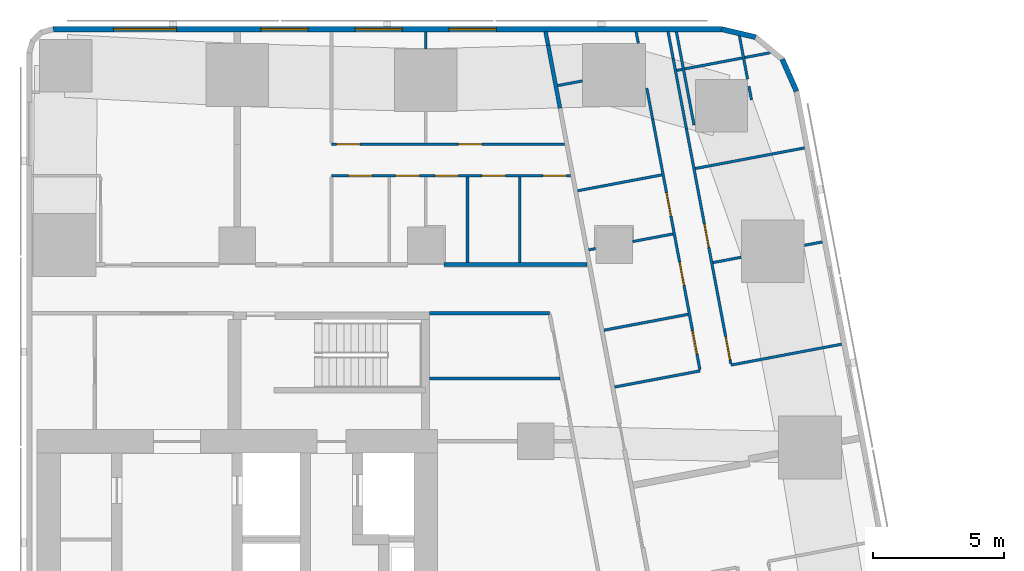
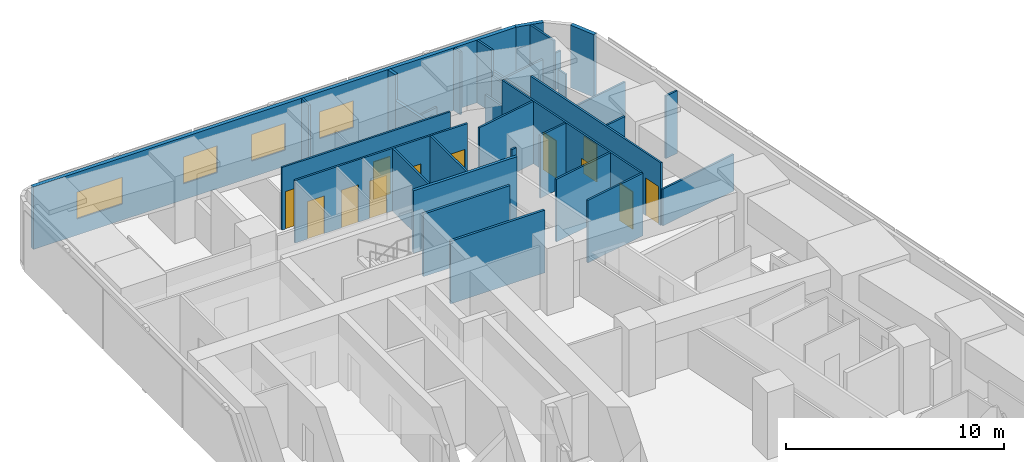
# One storey, part 7 of 10: 33 walls, 12 doors, 4 windows, 16 openings.
"""IFC4 building model written with IfcOpenShell, lengths in metres."""

from ifc_helpers import new_model, si_unit, direction, frame, frame_2d, origin, place, context, subcontext, project, spatial, rectangle, extrude, material, layer, layer_set, type_object, element, fill, save


model = new_model("IFC4")

# Units and contexts
model_context = context("Model", 3, precision=1e-05, world=origin(), true_north=direction((0.0, 1.0)))
body_context = subcontext(model_context, "Body", "Model", "MODEL_VIEW")
ifc_project = project(units=[si_unit("LENGTHUNIT", "METRE"), si_unit("AREAUNIT", "SQUARE_METRE"), si_unit("VOLUMEUNIT", "CUBIC_METRE"), si_unit("PLANEANGLEUNIT", "RADIAN"), si_unit("MASSUNIT", "GRAM", prefix="KILO")], contexts=[model_context])

# Site, building, storey
site_placement = place(None, origin())
site = spatial("IfcSite", under=ifc_project, at=site_placement, CompositionType="ELEMENT")
building_placement = place(site_placement, origin())
building = spatial("IfcBuilding", under=site, at=building_placement, Name="Sheger Commons Tower", CompositionType="ELEMENT")
storey_placement = place(building_placement, frame((0.0, 0.0, 234.949951171875)))
storey = spatial("IfcBuildingStorey", under=building, at=storey_placement, Name="L60", CompositionType="ELEMENT", Elevation=234.949951171875)

# Walls
ifc_material_1 = material(Name="Hollow concrete block masonry, skimmed both sides", Category="masonry")
ifc_layer_1 = layer(ifc_material_1, 0.14990234375)
ifc_layer_set_1 = layer_set([ifc_layer_1], Name="CORRIDOR WALL 150")
wall_type_1 = type_object("IfcWallType", Name="CORRIDOR WALL 150", PredefinedType="SOLIDWALL", material=ifc_layer_set_1)
wall_1_placement = place(storey_placement, frame((29.5009765625, 36.75, 0.0), z_axis=(0.0, 0.0, 1.0), x_axis=(1.0, 0.0, 0.0)))
element("IfcWall", 1, at=wall_1_placement, inside=storey, type_object=wall_type_1, Name="Corridor wall L60", PredefinedType="SOLIDWALL", context=body_context, shape_type="SweptSolid", body=[
    extrude(rectangle(XDim=5.470947265625, YDim=0.14990234375, at=frame_2d((2.7353515625, 0.0))), origin(), (0.0, 0.0, 1.0), 3.5),
])
wall_2_placement = place(storey_placement, frame((33.382080078125, 45.64990234375, 0.0), z_axis=(0.0, 0.0, 1.0), x_axis=(0.185657456326, -0.982614527122, 0.0)))
element("IfcWall", 2, at=wall_2_placement, inside=storey, type_object=wall_type_1, Name="Corridor wall L60", PredefinedType="SOLIDWALL", context=body_context, shape_type="SweptSolid", body=[
    extrude(rectangle(XDim=0.516845703125, YDim=0.14990234375, at=frame_2d((0.25830078125, 0.0))), origin(), (0.0, 0.0, 1.0), 3.5),
])
wall_3_placement = place(storey_placement, frame((33.47802734375, 45.14208984375, 0.0), z_axis=(0.0, 0.0, 1.0), x_axis=(0.185393362436, -0.982664388876, 0.0)))
element("IfcWall", 3, at=wall_3_placement, inside=storey, type_object=wall_type_1, Name="Corridor wall L60", PredefinedType="SOLIDWALL", context=body_context, shape_type="SweptSolid", body=[
    extrude(rectangle(XDim=2.45458984375, YDim=0.14990234375, at=frame_2d((1.227294921875, 0.0))), origin(), (0.0, 0.0, 1.0), 2.050048828125),
])
ifc_material_2 = material(Name="Rendered concrete block masonry, dark grey", Category="masonry")
ifc_layer_2 = layer(ifc_material_2, 0.199951171875)
ifc_layer_set_2 = layer_set([ifc_layer_2], Name="FACADE WALL 200")
wall_type_2 = type_object("IfcWallType", Name="FACADE WALL 200", PredefinedType="SOLIDWALL", material=ifc_layer_set_2)
wall_4_placement = place(storey_placement, frame((42.969970703125, 43.376953125, 0.0), z_axis=(0.0, 0.0, 1.0), x_axis=(-0.406002956633, 0.913871762998, 0.0)))
element("IfcWall", 4, at=wall_4_placement, inside=storey, type_object=wall_type_2, Name="Facade wall L60", PredefinedType="SOLIDWALL", context=body_context, shape_type="SweptSolid", body=[
    extrude(rectangle(XDim=1.33740234375, YDim=0.199951171875, at=frame_2d((0.668701171875, 0.0))), origin(), (0.0, 0.0, 1.0), 3.5),
])
wall_5_placement = place(storey_placement, frame((41.406982421875, 45.444091796875, 0.0), z_axis=(0.0, 0.0, 1.0), x_axis=(-0.973453091607, 0.228886606077, 0.0)))
element("IfcWall", 5, at=wall_5_placement, inside=storey, type_object=wall_type_2, Name="Facade wall L60", PredefinedType="SOLIDWALL", context=body_context, shape_type="SweptSolid", body=[
    extrude(rectangle(XDim=1.33642578125, YDim=0.199951171875, at=frame_2d((0.668212890625, 0.0))), origin(), (0.0, 0.0, 1.0), 3.5),
])

# Wall, openings, windows
wall_6_placement = place(storey_placement, frame((40.10595703125, 45.75, 0.0), z_axis=(0.0, 0.0, 1.0), x_axis=(-1.0, 0.0, 0.0)))
wall_6 = element("IfcWall", 6, at=wall_6_placement, inside=storey, type_object=wall_type_2, Name="Facade wall L60", PredefinedType="SOLIDWALL", context=body_context, shape_type="SweptSolid", body=[
    extrude(rectangle(XDim=25.54296875, YDim=0.199951171875, at=frame_2d((12.771484375, 0.0))), origin(), (0.0, 0.0, 1.0), 3.5),
])
opening_1_placement = place(wall_6_placement, frame((8.60595703125, 0.0, 0.89990234375)))
opening_1 = element("IfcOpeningElement", 7, at=opening_1_placement, cuts=wall_6, Name="Opening W2", PredefinedType="OPENING", context=body_context, shape_type="SweptSolid", body=[
    extrude(rectangle(XDim=1.800048828125, YDim=1.5, at=frame_2d((0.89990234375, 0.75))), frame((0.0, 0.10986328125, 0.0), z_axis=(0.0, -1.0, 0.0), x_axis=(1.0, 0.0, 0.0)), (0.0, 0.0, 1.0), 0.219970703125),
])
opening_2_placement = place(wall_6_placement, frame((12.2060546875, 0.0, 0.89990234375)))
opening_2 = element("IfcOpeningElement", 8, at=opening_2_placement, cuts=wall_6, Name="Opening W2", PredefinedType="OPENING", context=body_context, shape_type="SweptSolid", body=[
    extrude(rectangle(XDim=1.800048828125, YDim=1.5, at=frame_2d((0.89990234375, 0.75))), frame((0.0, 0.10986328125, 0.0), z_axis=(0.0, -1.0, 0.0), x_axis=(1.0, 0.0, 0.0)), (0.0, 0.0, 1.0), 0.219970703125),
])
opening_3_placement = place(wall_6_placement, frame((15.805908203125, 0.0, 0.89990234375)))
opening_3 = element("IfcOpeningElement", 9, at=opening_3_placement, cuts=wall_6, Name="Opening W2", PredefinedType="OPENING", context=body_context, shape_type="SweptSolid", body=[
    extrude(rectangle(XDim=1.800048828125, YDim=1.5, at=frame_2d((0.89990234375, 0.75))), frame((0.0, 0.10986328125, 0.0), z_axis=(0.0, -1.0, 0.0), x_axis=(1.0, 0.0, 0.0)), (0.0, 0.0, 1.0), 0.219970703125),
])
opening_4_placement = place(wall_6_placement, frame((20.824951171875, 0.0, 0.89990234375)))
opening_4 = element("IfcOpeningElement", 10, at=opening_4_placement, cuts=wall_6, Name="Opening W1", PredefinedType="OPENING", context=body_context, shape_type="SweptSolid", body=[
    extrude(rectangle(XDim=2.39990234375, YDim=1.5, at=frame_2d((1.199951171875, 0.75))), frame((0.0, 0.10986328125, 0.0), z_axis=(0.0, -1.0, 0.0), x_axis=(1.0, 0.0, 0.0)), (0.0, 0.0, 1.0), 0.219970703125),
])
ifc_material_3 = material(Name="Black aluminium frame, dark tinted double glazing", Category="aluminium")
window_type_1 = type_object("IfcWindowType", Name="WINDOW W1 2400x1500", PartitioningType="SINGLE_PANEL", PredefinedType="WINDOW", material=ifc_material_3)
window_1_placement = place(opening_4_placement, origin())
window_1 = element("IfcWindow", 11, at=window_1_placement, inside=storey, type_object=window_type_1, Name="Window W1 2400X1500", OverallHeight=1.5, OverallWidth=2.39990234375, PartitioningType="SINGLE_PANEL", PredefinedType="WINDOW", context=body_context, shape_type="SweptSolid", body=[
    extrude(rectangle(XDim=2.39990234375, YDim=1.5, at=frame_2d((1.199951171875, 0.75))), frame((0.0, 0.030029296875, 0.0), z_axis=(0.0, -1.0, 0.0), x_axis=(1.0, 0.0, 0.0)), (0.0, 0.0, 1.0), 0.06005859375),
])
fill(opening_4, window_1)
ifc_material_4 = material(Name="Black aluminium frame, dark tinted double glazing", Category="aluminium")
window_type_2 = type_object("IfcWindowType", Name="WINDOW W2 1800x1500", PartitioningType="SINGLE_PANEL", PredefinedType="WINDOW", material=ifc_material_4)
window_2_placement = place(opening_1_placement, origin())
window_2 = element("IfcWindow", 12, at=window_2_placement, inside=storey, type_object=window_type_2, Name="Window W2 1800X1500", OverallHeight=1.5, OverallWidth=1.800048828125, PartitioningType="SINGLE_PANEL", PredefinedType="WINDOW", context=body_context, shape_type="SweptSolid", body=[
    extrude(rectangle(XDim=1.800048828125, YDim=1.5, at=frame_2d((0.89990234375, 0.75))), frame((0.0, 0.030029296875, 0.0), z_axis=(0.0, -1.0, 0.0), x_axis=(1.0, 0.0, 0.0)), (0.0, 0.0, 1.0), 0.06005859375),
])
fill(opening_1, window_2)
window_3_placement = place(opening_2_placement, origin())
window_3 = element("IfcWindow", 13, at=window_3_placement, inside=storey, type_object=window_type_2, Name="Window W2 1800X1500", OverallHeight=1.5, OverallWidth=1.800048828125, PartitioningType="SINGLE_PANEL", PredefinedType="WINDOW", context=body_context, shape_type="SweptSolid", body=[
    extrude(rectangle(XDim=1.800048828125, YDim=1.5, at=frame_2d((0.89990234375, 0.75))), frame((0.0, 0.030029296875, 0.0), z_axis=(0.0, -1.0, 0.0), x_axis=(1.0, 0.0, 0.0)), (0.0, 0.0, 1.0), 0.06005859375),
])
fill(opening_2, window_3)
window_4_placement = place(opening_3_placement, origin())
window_4 = element("IfcWindow", 14, at=window_4_placement, inside=storey, type_object=window_type_2, Name="Window W2 1800X1500", OverallHeight=1.5, OverallWidth=1.800048828125, PartitioningType="SINGLE_PANEL", PredefinedType="WINDOW", context=body_context, shape_type="SweptSolid", body=[
    extrude(rectangle(XDim=1.800048828125, YDim=1.5, at=frame_2d((0.89990234375, 0.75))), frame((0.0, 0.030029296875, 0.0), z_axis=(0.0, -1.0, 0.0), x_axis=(1.0, 0.0, 0.0)), (0.0, 0.0, 1.0), 0.06005859375),
])
fill(opening_3, window_4)

# Walls
ifc_material_5 = material(Name="Gypsum board on steel studs", Category="steel")
ifc_layer_3 = layer(ifc_material_5, 0.10009765625)
ifc_layer_set_3 = layer_set([ifc_layer_3], Name="PARTITION 100")
wall_type_3 = type_object("IfcWallType", Name="PARTITION 100", PredefinedType="PARTITIONING", material=ifc_layer_set_3)
wall_7_placement = place(storey_placement, frame((39.053955078125, 42.0849609375, 0.0), z_axis=(0.0, 0.0, 1.0), x_axis=(-0.185791584218, 0.982589175207, 0.0)))
element("IfcWall", 15, at=wall_7_placement, inside=storey, type_object=wall_type_3, Name="Partition L60", PredefinedType="PARTITIONING", context=body_context, shape_type="SweptSolid", body=[
    extrude(rectangle(XDim=3.628173828125, YDim=0.10009765625, at=frame_2d((1.81396484375, 0.0))), origin(), (0.0, 0.0, 1.0), 2.050048828125),
])
wall_8_placement = place(storey_placement, frame((40.7890625, 45.487060546875, 0.0), z_axis=(0.0, 0.0, 1.0), x_axis=(0.185572395193, -0.982630594955, 0.0)))
element("IfcWall", 16, at=wall_8_placement, inside=storey, type_object=wall_type_3, Name="Partition L60", PredefinedType="PARTITIONING", context=body_context, shape_type="SweptSolid", body=[
    extrude(rectangle(XDim=1.676025390625, YDim=0.10009765625, at=frame_2d((0.837890625, 0.0))), origin(), (0.0, 0.0, 1.0), 3.5),
])
wall_9_placement = place(storey_placement, frame((41.15087890625, 43.569091796875, 0.0), z_axis=(0.0, 0.0, 1.0), x_axis=(0.186563073924, -0.982442985342, 0.0)))
element("IfcWall", 17, at=wall_9_placement, inside=storey, type_object=wall_type_3, Name="Partition L60", PredefinedType="PARTITIONING", context=body_context, shape_type="SweptSolid", body=[
    extrude(rectangle(XDim=0.53125, YDim=0.10009765625, at=frame_2d((0.265625, 0.0))), origin(), (0.0, 0.0, 1.0), 2.050048828125),
])
wall_10_placement = place(storey_placement, frame((38.06298828125, 45.64990234375, 0.0), z_axis=(0.0, 0.0, 1.0), x_axis=(0.185677287841, -0.982610779902, 0.0)))
element("IfcWall", 18, at=wall_10_placement, inside=storey, type_object=wall_type_3, Name="Partition L60", PredefinedType="PARTITIONING", context=body_context, shape_type="SweptSolid", body=[
    extrude(rectangle(XDim=1.0400390625, YDim=0.10009765625, at=frame_2d((0.52001953125, 0.0))), origin(), (0.0, 0.0, 1.0), 3.5),
])
wall_11_placement = place(storey_placement, frame((38.256103515625, 44.6279296875, 0.0), z_axis=(0.0, 0.0, 1.0), x_axis=(0.185700639943, -0.982606366927, 0.0)))
element("IfcWall", 19, at=wall_11_placement, inside=storey, type_object=wall_type_3, Name="Partition L60", PredefinedType="PARTITIONING", context=body_context, shape_type="SweptSolid", body=[
    extrude(rectangle(XDim=2.734619140625, YDim=0.10009765625, at=frame_2d((1.3671875, 0.0))), origin(), (0.0, 0.0, 1.0), 2.050048828125),
])

# Wall, openings, doors
wall_12_placement = place(storey_placement, frame((38.763916015625, 41.94091796875, 0.0), z_axis=(0.0, 0.0, 1.0), x_axis=(0.185548572312, -0.982635093671, 0.0)))
wall_12 = element("IfcWall", 20, at=wall_12_placement, inside=storey, type_object=wall_type_3, Name="Partition L60", PredefinedType="PARTITIONING", context=body_context, shape_type="SweptSolid", body=[
    extrude(rectangle(XDim=9.135498046875, YDim=0.10009765625, at=frame_2d((4.56787109375, 0.0))), origin(), (0.0, 0.0, 1.0), 3.5),
])
opening_5_placement = place(wall_12_placement, frame((8.0849609375, 0.0, 0.0)))
opening_5 = element("IfcOpeningElement", 21, at=opening_5_placement, cuts=wall_12, Name="Opening D2", PredefinedType="OPENING", context=body_context, shape_type="SweptSolid", body=[
    extrude(rectangle(XDim=0.89990234375, YDim=2.10009765625, at=frame_2d((0.449951171875, 1.050048828125))), frame((0.0, 0.06005859375, 0.0), z_axis=(0.0, -1.0, 0.0), x_axis=(1.0, 0.0, 0.0)), (0.0, 0.0, 1.0), 0.1201171875),
])
opening_6_placement = place(wall_12_placement, frame((3.699951171875, 0.0, 0.0)))
opening_6 = element("IfcOpeningElement", 22, at=opening_6_placement, cuts=wall_12, Name="Opening D2", PredefinedType="OPENING", context=body_context, shape_type="SweptSolid", body=[
    extrude(rectangle(XDim=0.89990234375, YDim=2.10009765625, at=frame_2d((0.449951171875, 1.050048828125))), frame((0.0, 0.06005859375, 0.0), z_axis=(0.0, -1.0, 0.0), x_axis=(1.0, 0.0, 0.0)), (0.0, 0.0, 1.0), 0.1201171875),
])
ifc_material_6 = material(Name="Timber door set", Category="wood")
door_type = type_object("IfcDoorType", Name="INTERNAL DOOR 900x2100", OperationType="NOTDEFINED", PredefinedType="DOOR", material=ifc_material_6)
door_1_placement = place(opening_5_placement, origin())
door_1 = element("IfcDoor", 23, at=door_1_placement, inside=storey, type_object=door_type, Name="Main bedroom door", OperationType="SINGLE_SWING_RIGHT", OverallHeight=2.10009765625, OverallWidth=0.89990234375, PredefinedType="DOOR", context=body_context, shape_type="SweptSolid", body=[
    extrude(rectangle(XDim=0.89990234375, YDim=2.10009765625, at=frame_2d((0.449951171875, 1.050048828125))), frame((0.0, 0.02490234375, 0.0), z_axis=(0.0, -1.0, 0.0), x_axis=(1.0, 0.0, 0.0)), (0.0, 0.0, 1.0), 0.050048828125),
])
fill(opening_5, door_1)
door_2_placement = place(opening_6_placement, origin())
door_2 = element("IfcDoor", 24, at=door_2_placement, inside=storey, type_object=door_type, Name="Bedroom 2 door", OperationType="SINGLE_SWING_RIGHT", OverallHeight=2.10009765625, OverallWidth=0.89990234375, PredefinedType="DOOR", context=body_context, shape_type="SweptSolid", body=[
    extrude(rectangle(XDim=0.89990234375, YDim=2.10009765625, at=frame_2d((0.449951171875, 1.050048828125))), frame((0.0, 0.02490234375, 0.0), z_axis=(0.0, -1.0, 0.0), x_axis=(1.0, 0.0, 0.0)), (0.0, 0.0, 1.0), 0.050048828125),
])
fill(opening_6, door_2)

# Walls
wall_13_placement = place(storey_placement, frame((36.842041015625, 45.64990234375, 0.0), z_axis=(0.0, 0.0, 1.0), x_axis=(0.185407859198, -0.982661653748, 0.0)))
element("IfcWall", 25, at=wall_13_placement, inside=storey, type_object=wall_type_3, Name="Partition L60", PredefinedType="PARTITIONING", context=body_context, shape_type="SweptSolid", body=[
    extrude(rectangle(XDim=0.44775390625, YDim=0.10009765625, at=frame_2d((0.223876953125, 0.0))), origin(), (0.0, 0.0, 1.0), 3.5),
])
wall_14_placement = place(storey_placement, frame((37.2490234375, 43.492919921875, 0.0), z_axis=(0.0, 0.0, 1.0), x_axis=(0.185817643817, -0.982584247404, 0.0)))
element("IfcWall", 26, at=wall_14_placement, inside=storey, type_object=wall_type_3, Name="Partition L60", PredefinedType="PARTITIONING", context=body_context, shape_type="SweptSolid", body=[
    extrude(rectangle(XDim=1.204833984375, YDim=0.10009765625, at=frame_2d((0.6025390625, 0.0))), origin(), (0.0, 0.0, 1.0), 2.050048828125),
])

# Wall, openings, doors
wall_15_placement = place(storey_placement, frame((37.472900390625, 42.30908203125, 0.0), z_axis=(0.0, 0.0, 1.0), x_axis=(0.185491912953, -0.982645790827, 0.0)))
wall_15 = element("IfcWall", 27, at=wall_15_placement, inside=storey, type_object=wall_type_3, Name="Partition L60", PredefinedType="PARTITIONING", context=body_context, shape_type="SweptSolid", body=[
    extrude(rectangle(XDim=9.737060546875, YDim=0.10009765625, at=frame_2d((4.86865234375, 0.0))), origin(), (0.0, 0.0, 1.0), 3.5),
])
opening_7_placement = place(wall_15_placement, frame((8.23193359375, 0.0, 0.0)))
opening_7 = element("IfcOpeningElement", 28, at=opening_7_placement, cuts=wall_15, Name="Opening D2", PredefinedType="OPENING", context=body_context, shape_type="SweptSolid", body=[
    extrude(rectangle(XDim=0.89990234375, YDim=2.10009765625, at=frame_2d((0.449951171875, 1.050048828125))), frame((0.0, 0.06005859375, 0.0), z_axis=(0.0, -1.0, 0.0), x_axis=(1.0, 0.0, 0.0)), (0.0, 0.0, 1.0), 0.1201171875),
])
opening_8_placement = place(wall_15_placement, frame((2.85302734375, 0.0, 0.0)))
opening_8 = element("IfcOpeningElement", 29, at=opening_8_placement, cuts=wall_15, Name="Opening D2", PredefinedType="OPENING", context=body_context, shape_type="SweptSolid", body=[
    extrude(rectangle(XDim=0.89990234375, YDim=2.10009765625, at=frame_2d((0.449951171875, 1.050048828125))), frame((0.0, 0.06005859375, 0.0), z_axis=(0.0, -1.0, 0.0), x_axis=(1.0, 0.0, 0.0)), (0.0, 0.0, 1.0), 0.1201171875),
])
opening_9_placement = place(wall_15_placement, frame((5.56396484375, 0.0, 0.0)))
opening_9 = element("IfcOpeningElement", 30, at=opening_9_placement, cuts=wall_15, Name="Opening D2", PredefinedType="OPENING", context=body_context, shape_type="SweptSolid", body=[
    extrude(rectangle(XDim=0.89990234375, YDim=2.10009765625, at=frame_2d((0.449951171875, 1.050048828125))), frame((0.0, 0.06005859375, 0.0), z_axis=(0.0, -1.0, 0.0), x_axis=(1.0, 0.0, 0.0)), (0.0, 0.0, 1.0), 0.1201171875),
])
door_3_placement = place(opening_7_placement, origin())
door_3 = element("IfcDoor", 31, at=door_3_placement, inside=storey, type_object=door_type, Name="Bathroom door", OperationType="SINGLE_SWING_LEFT", OverallHeight=2.10009765625, OverallWidth=0.89990234375, PredefinedType="DOOR", context=body_context, shape_type="SweptSolid", body=[
    extrude(rectangle(XDim=0.89990234375, YDim=2.10009765625, at=frame_2d((0.449951171875, 1.050048828125))), frame((0.0, 0.02490234375, 0.0), z_axis=(0.0, -1.0, 0.0), x_axis=(1.0, 0.0, 0.0)), (0.0, 0.0, 1.0), 0.050048828125),
])
fill(opening_7, door_3)
door_4_placement = place(opening_8_placement, origin())
door_4 = element("IfcDoor", 32, at=door_4_placement, inside=storey, type_object=door_type, Name="Laundry room door", OperationType="SINGLE_SWING_RIGHT", OverallHeight=2.10009765625, OverallWidth=0.89990234375, PredefinedType="DOOR", context=body_context, shape_type="SweptSolid", body=[
    extrude(rectangle(XDim=0.89990234375, YDim=2.10009765625, at=frame_2d((0.449951171875, 1.050048828125))), frame((0.0, 0.02490234375, 0.0), z_axis=(0.0, -1.0, 0.0), x_axis=(1.0, 0.0, 0.0)), (0.0, 0.0, 1.0), 0.050048828125),
])
fill(opening_8, door_4)
door_5_placement = place(opening_9_placement, origin())
door_5 = element("IfcDoor", 33, at=door_5_placement, inside=storey, type_object=door_type, Name="Store door", OperationType="SINGLE_SWING_RIGHT", OverallHeight=2.10009765625, OverallWidth=0.89990234375, PredefinedType="DOOR", context=body_context, shape_type="SweptSolid", body=[
    extrude(rectangle(XDim=0.89990234375, YDim=2.10009765625, at=frame_2d((0.449951171875, 1.050048828125))), frame((0.0, 0.02490234375, 0.0), z_axis=(0.0, -1.0, 0.0), x_axis=(1.0, 0.0, 0.0)), (0.0, 0.0, 1.0), 0.050048828125),
])
fill(opening_9, door_5)

# Walls
wall_16_placement = place(storey_placement, frame((41.968017578125, 44.85009765625, 0.0), z_axis=(0.0, 0.0, 1.0), x_axis=(-0.98258614234, -0.185807623311, 0.0)))
element("IfcWall", 34, at=wall_16_placement, inside=storey, type_object=wall_type_3, Name="Partition L60", PredefinedType="PARTITIONING", context=body_context, shape_type="SweptSolid", body=[
    extrude(rectangle(XDim=3.638427734375, YDim=0.10009765625, at=frame_2d((1.8193359375, 0.0))), origin(), (0.0, 0.0, 1.0), 2.050048828125),
])
wall_17_placement = place(storey_placement, frame((43.277099609375, 41.2119140625, 0.0), z_axis=(0.0, 0.0, 1.0), x_axis=(-0.982665405803, -0.185387972203, 0.0)))
element("IfcWall", 35, at=wall_17_placement, inside=storey, type_object=wall_type_3, Name="Partition L60", PredefinedType="PARTITIONING", context=body_context, shape_type="SweptSolid", body=[
    extrude(rectangle(XDim=4.249755859375, YDim=0.10009765625, at=frame_2d((2.125, 0.0))), origin(), (0.0, 0.0, 1.0), 2.050048828125),
])
wall_18_placement = place(storey_placement, frame((43.955078125, 37.6201171875, 0.0), z_axis=(0.0, 0.0, 1.0), x_axis=(-0.982495415327, -0.186286765128, 0.0)))
element("IfcWall", 36, at=wall_18_placement, inside=storey, type_object=wall_type_3, Name="Partition L60", PredefinedType="PARTITIONING", context=body_context, shape_type="SweptSolid", body=[
    extrude(rectangle(XDim=0.693359375, YDim=0.10009765625, at=frame_2d((0.3466796875, 0.0))), origin(), (0.0, 0.0, 1.0), 3.5),
])
wall_19_placement = place(storey_placement, frame((40.85400390625, 37.033935546875, 0.0), z_axis=(0.0, 0.0, 1.0), x_axis=(-0.982651678759, -0.185460718839, 0.0)))
element("IfcWall", 37, at=wall_19_placement, inside=storey, type_object=wall_type_3, Name="Partition L60", PredefinedType="PARTITIONING", context=body_context, shape_type="SweptSolid", body=[
    extrude(rectangle(XDim=1.093994140625, YDim=0.10009765625, at=frame_2d((0.546875, 0.0))), origin(), (0.0, 0.0, 1.0), 3.5),
])
wall_20_placement = place(storey_placement, frame((44.693115234375, 33.712890625, 0.0), z_axis=(0.0, 0.0, 1.0), x_axis=(-0.982633535512, -0.185556823879, 0.0)))
element("IfcWall", 38, at=wall_20_placement, inside=storey, type_object=wall_type_3, Name="Partition L60", PredefinedType="PARTITIONING", context=body_context, shape_type="SweptSolid", body=[
    extrude(rectangle(XDim=4.2998046875, YDim=0.10009765625, at=frame_2d((2.14990234375, 0.0))), origin(), (0.0, 0.0, 1.0), 2.050048828125),
])
wall_21_placement = place(storey_placement, frame((34.7900390625, 43.77197265625, 0.0), z_axis=(0.0, 0.0, 1.0), x_axis=(-0.982655532093, -0.185440301034, 0.0)))
element("IfcWall", 39, at=wall_21_placement, inside=storey, type_object=wall_type_3, Name="Partition L60", PredefinedType="PARTITIONING", context=body_context, shape_type="SweptSolid", body=[
    extrude(rectangle(XDim=0.959716796875, YDim=0.10009765625, at=frame_2d((0.47998046875, 0.0))), origin(), (0.0, 0.0, 1.0), 2.050048828125),
])
wall_22_placement = place(storey_placement, frame((37.822998046875, 40.181884765625, 0.0), z_axis=(0.0, 0.0, 1.0), x_axis=(-0.982664729897, -0.18539155487, 0.0)))
element("IfcWall", 40, at=wall_22_placement, inside=storey, type_object=wall_type_3, Name="Partition L60", PredefinedType="PARTITIONING", context=body_context, shape_type="SweptSolid", body=[
    extrude(rectangle(XDim=3.273681640625, YDim=0.10009765625, at=frame_2d((1.63671875, 0.0))), origin(), (0.0, 0.0, 1.0), 3.5),
])
wall_23_placement = place(storey_placement, frame((38.25, 37.925048828125, 0.0), z_axis=(0.0, 0.0, 1.0), x_axis=(-0.982610209589, -0.185680305934, 0.0)))
element("IfcWall", 41, at=wall_23_placement, inside=storey, type_object=wall_type_3, Name="Partition L60", PredefinedType="PARTITIONING", context=body_context, shape_type="SweptSolid", body=[
    extrude(rectangle(XDim=1.5673828125, YDim=0.10009765625, at=frame_2d((0.78369140625, 0.0))), origin(), (0.0, 0.0, 1.0), 3.5),
])
wall_24_placement = place(storey_placement, frame((35.2900390625, 37.365966796875, 0.0), z_axis=(0.0, 0.0, 1.0), x_axis=(-0.982395465615, -0.18681313963, 0.0)))
element("IfcWall", 42, at=wall_24_placement, inside=storey, type_object=wall_type_3, Name="Partition L60", PredefinedType="PARTITIONING", context=body_context, shape_type="SweptSolid", body=[
    extrude(rectangle(XDim=0.2626953125, YDim=0.10009765625, at=frame_2d((0.13134765625, 0.0))), origin(), (0.0, 0.0, 1.0), 3.5),
])
wall_25_placement = place(storey_placement, frame((39.2890625, 32.69189453125, 0.0), z_axis=(0.0, 0.0, 1.0), x_axis=(-0.982633623707, -0.185556356831, 0.0)))
element("IfcWall", 43, at=wall_25_placement, inside=storey, type_object=wall_type_3, Name="Partition L60", PredefinedType="PARTITIONING", context=body_context, shape_type="SweptSolid", body=[
    extrude(rectangle(XDim=3.324951171875, YDim=0.10009765625, at=frame_2d((1.66259765625, 0.0))), origin(), (0.0, 0.0, 1.0), 3.5),
])
wall_26_placement = place(storey_placement, frame((38.8291015625, 34.85498046875, 0.0), z_axis=(0.0, 0.0, 1.0), x_axis=(-0.982610347627, -0.185679575441, 0.0)))
element("IfcWall", 44, at=wall_26_placement, inside=storey, type_object=wall_type_3, Name="Partition L60", PredefinedType="PARTITIONING", context=body_context, shape_type="SweptSolid", body=[
    extrude(rectangle(XDim=3.27392578125, YDim=0.10009765625, at=frame_2d((1.636962890625, 0.0))), origin(), (0.0, 0.0, 1.0), 3.5),
])

# Wall, openings, doors
wall_27_placement = place(storey_placement, frame((25.199951171875, 41.35009765625, 0.0), z_axis=(0.0, 0.0, 1.0), x_axis=(1.0, 0.0, 0.0)))
wall_27 = element("IfcWall", 45, at=wall_27_placement, inside=storey, type_object=wall_type_3, Name="Partition L60", PredefinedType="PARTITIONING", context=body_context, shape_type="SweptSolid", body=[
    extrude(rectangle(XDim=8.907958984375, YDim=0.10009765625, at=frame_2d((4.4541015625, 0.0))), origin(), (0.0, 0.0, 1.0), 3.5),
])
opening_10_placement = place(wall_27_placement, frame((0.199951171875, 0.0, 0.0)))
opening_10 = element("IfcOpeningElement", 46, at=opening_10_placement, cuts=wall_27, Name="Opening D2", PredefinedType="OPENING", context=body_context, shape_type="SweptSolid", body=[
    extrude(rectangle(XDim=0.89990234375, YDim=2.10009765625, at=frame_2d((0.449951171875, 1.050048828125))), frame((0.0, 0.06005859375, 0.0), z_axis=(0.0, -1.0, 0.0), x_axis=(1.0, 0.0, 0.0)), (0.0, 0.0, 1.0), 0.1201171875),
])
opening_11_placement = place(wall_27_placement, frame((4.85009765625, 0.0, 0.0)))
opening_11 = element("IfcOpeningElement", 47, at=opening_11_placement, cuts=wall_27, Name="Opening D2", PredefinedType="OPENING", context=body_context, shape_type="SweptSolid", body=[
    extrude(rectangle(XDim=0.89990234375, YDim=2.10009765625, at=frame_2d((0.449951171875, 1.050048828125))), frame((0.0, 0.06005859375, 0.0), z_axis=(0.0, -1.0, 0.0), x_axis=(1.0, 0.0, 0.0)), (0.0, 0.0, 1.0), 0.1201171875),
])
door_6_placement = place(opening_10_placement, origin())
door_6 = element("IfcDoor", 48, at=door_6_placement, inside=storey, type_object=door_type, Name="Main bedroom door", OperationType="SINGLE_SWING_LEFT", OverallHeight=2.10009765625, OverallWidth=0.89990234375, PredefinedType="DOOR", context=body_context, shape_type="SweptSolid", body=[
    extrude(rectangle(XDim=0.89990234375, YDim=2.10009765625, at=frame_2d((0.449951171875, 1.050048828125))), frame((0.0, 0.02490234375, 0.0), z_axis=(0.0, -1.0, 0.0), x_axis=(1.0, 0.0, 0.0)), (0.0, 0.0, 1.0), 0.050048828125),
])
fill(opening_10, door_6)
door_7_placement = place(opening_11_placement, origin())
door_7 = element("IfcDoor", 49, at=door_7_placement, inside=storey, type_object=door_type, Name="Bedroom 2 door", OperationType="SINGLE_SWING_LEFT", OverallHeight=2.10009765625, OverallWidth=0.89990234375, PredefinedType="DOOR", context=body_context, shape_type="SweptSolid", body=[
    extrude(rectangle(XDim=0.89990234375, YDim=2.10009765625, at=frame_2d((0.449951171875, 1.050048828125))), frame((0.0, 0.02490234375, 0.0), z_axis=(0.0, -1.0, 0.0), x_axis=(1.0, 0.0, 0.0)), (0.0, 0.0, 1.0), 0.050048828125),
])
fill(opening_11, door_7)

wall_28_placement = place(storey_placement, frame((25.199951171875, 40.14990234375, 0.0), z_axis=(0.0, 0.0, 1.0), x_axis=(1.0, 0.0, 0.0)))
wall_28 = element("IfcWall", 50, at=wall_28_placement, inside=storey, type_object=wall_type_3, Name="Partition L60", PredefinedType="PARTITIONING", context=body_context, shape_type="SweptSolid", body=[
    extrude(rectangle(XDim=9.135009765625, YDim=0.10009765625, at=frame_2d((4.5673828125, 0.0))), origin(), (0.0, 0.0, 1.0), 3.5),
])
opening_12_placement = place(wall_28_placement, frame((0.655029296875, 0.0, 0.0)))
opening_12 = element("IfcOpeningElement", 51, at=opening_12_placement, cuts=wall_28, Name="Opening D2", PredefinedType="OPENING", context=body_context, shape_type="SweptSolid", body=[
    extrude(rectangle(XDim=0.89990234375, YDim=2.10009765625, at=frame_2d((0.449951171875, 1.050048828125))), frame((0.0, 0.06005859375, 0.0), z_axis=(0.0, -1.0, 0.0), x_axis=(1.0, 0.0, 0.0)), (0.0, 0.0, 1.0), 0.1201171875),
])
opening_13_placement = place(wall_28_placement, frame((3.949951171875, 0.0, 0.0)))
opening_13 = element("IfcOpeningElement", 52, at=opening_13_placement, cuts=wall_28, Name="Opening D2", PredefinedType="OPENING", context=body_context, shape_type="SweptSolid", body=[
    extrude(rectangle(XDim=0.89990234375, YDim=2.10009765625, at=frame_2d((0.449951171875, 1.050048828125))), frame((0.0, 0.06005859375, 0.0), z_axis=(0.0, -1.0, 0.0), x_axis=(1.0, 0.0, 0.0)), (0.0, 0.0, 1.0), 0.1201171875),
])
opening_14_placement = place(wall_28_placement, frame((8.0810546875, 0.0, 0.0)))
opening_14 = element("IfcOpeningElement", 53, at=opening_14_placement, cuts=wall_28, Name="Opening D2", PredefinedType="OPENING", context=body_context, shape_type="SweptSolid", body=[
    extrude(rectangle(XDim=0.89990234375, YDim=2.10009765625, at=frame_2d((0.449951171875, 1.050048828125))), frame((0.0, 0.06005859375, 0.0), z_axis=(0.0, -1.0, 0.0), x_axis=(1.0, 0.0, 0.0)), (0.0, 0.0, 1.0), 0.1201171875),
])
opening_15_placement = place(wall_28_placement, frame((2.455078125, 0.0, 0.0)))
opening_15 = element("IfcOpeningElement", 54, at=opening_15_placement, cuts=wall_28, Name="Opening D2", PredefinedType="OPENING", context=body_context, shape_type="SweptSolid", body=[
    extrude(rectangle(XDim=0.89990234375, YDim=2.10009765625, at=frame_2d((0.449951171875, 1.050048828125))), frame((0.0, 0.06005859375, 0.0), z_axis=(0.0, -1.0, 0.0), x_axis=(1.0, 0.0, 0.0)), (0.0, 0.0, 1.0), 0.1201171875),
])
opening_16_placement = place(wall_28_placement, frame((5.75, 0.0, 0.0)))
opening_16 = element("IfcOpeningElement", 55, at=opening_16_placement, cuts=wall_28, Name="Opening D2", PredefinedType="OPENING", context=body_context, shape_type="SweptSolid", body=[
    extrude(rectangle(XDim=0.89990234375, YDim=2.10009765625, at=frame_2d((0.449951171875, 1.050048828125))), frame((0.0, 0.06005859375, 0.0), z_axis=(0.0, -1.0, 0.0), x_axis=(1.0, 0.0, 0.0)), (0.0, 0.0, 1.0), 0.1201171875),
])
door_8_placement = place(opening_12_placement, origin())
door_8 = element("IfcDoor", 56, at=door_8_placement, inside=storey, type_object=door_type, Name="Bathroom door", OperationType="SINGLE_SWING_RIGHT", OverallHeight=2.10009765625, OverallWidth=0.89990234375, PredefinedType="DOOR", context=body_context, shape_type="SweptSolid", body=[
    extrude(rectangle(XDim=0.89990234375, YDim=2.10009765625, at=frame_2d((0.449951171875, 1.050048828125))), frame((0.0, 0.02490234375, 0.0), z_axis=(0.0, -1.0, 0.0), x_axis=(1.0, 0.0, 0.0)), (0.0, 0.0, 1.0), 0.050048828125),
])
fill(opening_12, door_8)
door_9_placement = place(opening_13_placement, origin())
door_9 = element("IfcDoor", 57, at=door_9_placement, inside=storey, type_object=door_type, Name="Shower room door", OperationType="SINGLE_SWING_RIGHT", OverallHeight=2.10009765625, OverallWidth=0.89990234375, PredefinedType="DOOR", context=body_context, shape_type="SweptSolid", body=[
    extrude(rectangle(XDim=0.89990234375, YDim=2.10009765625, at=frame_2d((0.449951171875, 1.050048828125))), frame((0.0, 0.02490234375, 0.0), z_axis=(0.0, -1.0, 0.0), x_axis=(1.0, 0.0, 0.0)), (0.0, 0.0, 1.0), 0.050048828125),
])
fill(opening_13, door_9)
door_10_placement = place(opening_14_placement, origin())
door_10 = element("IfcDoor", 58, at=door_10_placement, inside=storey, type_object=door_type, Name="Laundry room door", OperationType="SINGLE_SWING_LEFT", OverallHeight=2.10009765625, OverallWidth=0.89990234375, PredefinedType="DOOR", context=body_context, shape_type="SweptSolid", body=[
    extrude(rectangle(XDim=0.89990234375, YDim=2.10009765625, at=frame_2d((0.449951171875, 1.050048828125))), frame((0.0, 0.02490234375, 0.0), z_axis=(0.0, -1.0, 0.0), x_axis=(1.0, 0.0, 0.0)), (0.0, 0.0, 1.0), 0.050048828125),
])
fill(opening_14, door_10)
door_11_placement = place(opening_15_placement, origin())
door_11 = element("IfcDoor", 59, at=door_11_placement, inside=storey, type_object=door_type, Name="Store door", OperationType="SINGLE_SWING_LEFT", OverallHeight=2.10009765625, OverallWidth=0.89990234375, PredefinedType="DOOR", context=body_context, shape_type="SweptSolid", body=[
    extrude(rectangle(XDim=0.89990234375, YDim=2.10009765625, at=frame_2d((0.449951171875, 1.050048828125))), frame((0.0, 0.02490234375, 0.0), z_axis=(0.0, -1.0, 0.0), x_axis=(1.0, 0.0, 0.0)), (0.0, 0.0, 1.0), 0.050048828125),
])
fill(opening_15, door_11)
door_12_placement = place(opening_16_placement, origin())
door_12 = element("IfcDoor", 60, at=door_12_placement, inside=storey, type_object=door_type, Name="Store door", OperationType="SINGLE_SWING_LEFT", OverallHeight=2.10009765625, OverallWidth=0.89990234375, PredefinedType="DOOR", context=body_context, shape_type="SweptSolid", body=[
    extrude(rectangle(XDim=0.89990234375, YDim=2.10009765625, at=frame_2d((0.449951171875, 1.050048828125))), frame((0.0, 0.02490234375, 0.0), z_axis=(0.0, -1.0, 0.0), x_axis=(1.0, 0.0, 0.0)), (0.0, 0.0, 1.0), 0.050048828125),
])
fill(opening_16, door_12)

# Walls
wall_29_placement = place(storey_placement, frame((28.800048828125, 45.0009765625, 0.0), z_axis=(0.0, 0.0, 1.0), x_axis=(0.0, 1.0, 0.0)))
element("IfcWall", 61, at=wall_29_placement, inside=storey, type_object=wall_type_3, Name="Partition L60", PredefinedType="PARTITIONING", context=body_context, shape_type="SweptSolid", body=[
    extrude(rectangle(XDim=0.64892578125, YDim=0.10009765625, at=frame_2d((0.324462890625, 0.0))), origin(), (0.0, 0.0, 1.0), 3.5),
])
for number, where, z_axis, x_axis, name in (
    (62, (32.39990234375, 36.824951171875, 0.0), (0.0, 0.0, 1.0), (0.0, 1.0, 0.0), "Partition L60"),
    (63, (30.39990234375, 36.824951171875, 0.0), (0.0, 0.0, 1.0), (0.0, 1.0, 0.0), "Partition L60"),
):
    element("IfcWall", number, at=place(storey_placement, frame(where, z_axis=z_axis, x_axis=x_axis)), inside=storey, type_object=wall_type_3, Name=name, PredefinedType="PARTITIONING", context=body_context, shape_type="SweptSolid", body=[
        extrude(rectangle(XDim=3.275146484375, YDim=0.10009765625, at=frame_2d((1.6376953125, 0.0))), origin(), (0.0, 0.0, 1.0), 3.5),
    ])
ifc_material_7 = material(Name="Gypsum board on steel studs, two layers each side, fire rated", Category="steel")
ifc_layer_4 = layer(ifc_material_7, 0.125)
ifc_layer_set_4 = layer_set([ifc_layer_4], Name="SERVICE WALL 125")
wall_type_4 = type_object("IfcWallType", Name="SERVICE WALL 125", PredefinedType="PARTITIONING", material=ifc_layer_set_4)
wall_30_placement = place(storey_placement, frame((28.949951171875, 34.89990234375, 0.0), z_axis=(0.0, 0.0, 1.0), x_axis=(1.0, 0.0, 0.0)))
element("IfcWall", 64, at=wall_30_placement, inside=storey, type_object=wall_type_4, Name="Service room wall L60", PredefinedType="PARTITIONING", context=body_context, shape_type="SweptSolid", body=[
    extrude(rectangle(XDim=4.588134765625, YDim=0.125, at=frame_2d((2.2939453125, 0.0))), origin(), (0.0, 0.0, 1.0), 3.5),
])
wall_31_placement = place(storey_placement, frame((28.949951171875, 32.39990234375, 0.0), z_axis=(0.0, 0.0, 1.0), x_axis=(1.0, 0.0, 0.0)))
element("IfcWall", 65, at=wall_31_placement, inside=storey, type_object=wall_type_4, Name="Service room wall L60", PredefinedType="PARTITIONING", context=body_context, shape_type="SweptSolid", body=[
    extrude(rectangle(XDim=4.97607421875, YDim=0.125, at=frame_2d((2.488037109375, 0.0))), origin(), (0.0, 0.0, 1.0), 3.5),
])

save(model, "model.ifc")
